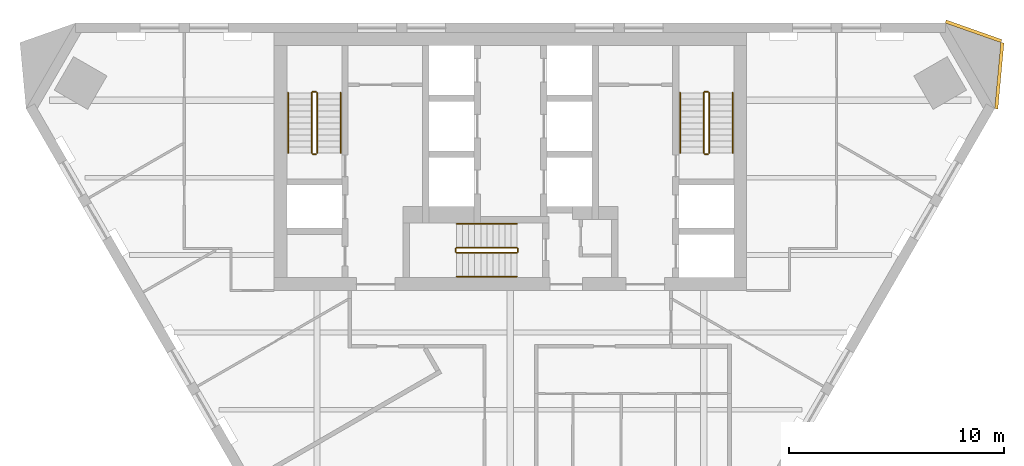
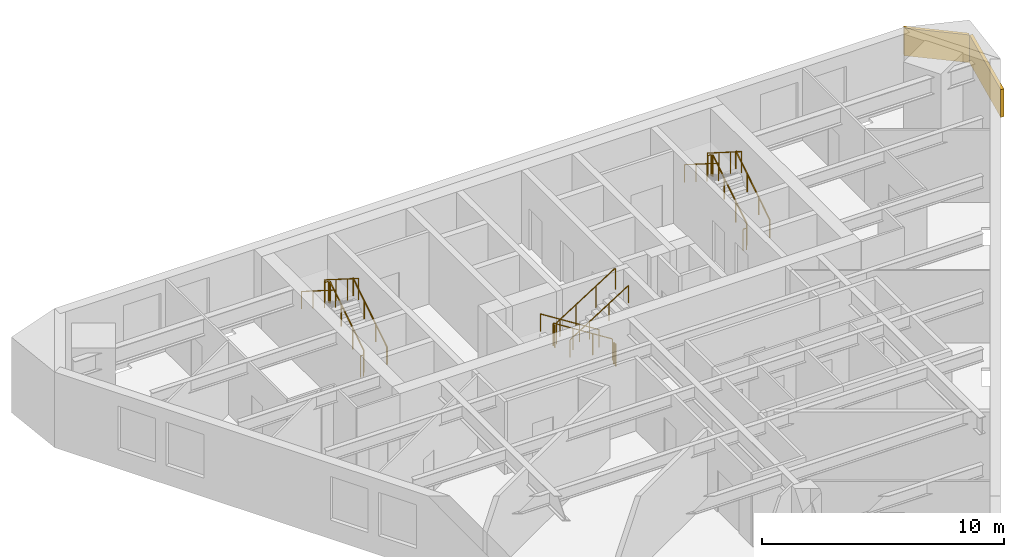
# One storey, part 7 of 7: 18 railings, 2 coverings.
"""IFC4 building model written with IfcOpenShell, lengths in metres."""

from ifc_helpers import new_model, si_unit, direction, frame, origin, origin_2d, place, context, subcontext, project, spatial, polyline, circle, outline, extrude, material, layer, layer_set, type_object, element, save


model = new_model("IFC4")

# Units and contexts
model_context = context("Model", 3, precision=1e-05, world=origin(), true_north=direction((0.0, 1.0)))
body_context = subcontext(model_context, "Body", "Model", "MODEL_VIEW")
ifc_project = project(units=[si_unit("LENGTHUNIT", "METRE"), si_unit("AREAUNIT", "SQUARE_METRE"), si_unit("VOLUMEUNIT", "CUBIC_METRE"), si_unit("PLANEANGLEUNIT", "RADIAN"), si_unit("MASSUNIT", "GRAM", prefix="KILO")], contexts=[model_context])

# Site, building, storey
site_placement = place(None, origin())
site = spatial("IfcSite", under=ifc_project, at=site_placement, CompositionType="ELEMENT")
building_placement = place(site_placement, origin())
building = spatial("IfcBuilding", under=site, at=building_placement, Name="Aloe Facet Convention Tower", CompositionType="ELEMENT")
storey_placement = place(building_placement, frame((0.0, 0.0, 171.5)))
storey = spatial("IfcBuildingStorey", under=building, at=storey_placement, Name="L43", CompositionType="ELEMENT", Elevation=171.5)

# Railings
ifc_material_1 = material(Name="Steel S355 balustrade", Category="steel")
railing_type_1 = type_object("IfcRailingType", Name="CR-RL-GUARD", PredefinedType="GUARDRAIL", material=ifc_material_1)
railing_1_placement = place(storey_placement, frame((71.0, 128.949951171875, 0.17724609375)))
element("IfcRailing", 1, at=railing_1_placement, inside=storey, type_object=railing_type_1, Name="L43 ST1 stair guard 1", PredefinedType="GUARDRAIL", context=body_context, shape_type="SweptSolid", body=[
    extrude(circle(Radius=0.02392578125, at=origin_2d()), frame((0.0, 0.0, 1.076171875), z_axis=(0.0, 0.844908973607, 0.534910110503), x_axis=(-1.0, 0.0, 0.0)), (0.0, 0.0, 1.0), 3.31396484375),
    extrude(circle(Radius=0.02099609375, at=origin_2d()), origin(), (0.0, 0.0, 1.0), 1.052001953125),
    extrude(circle(Radius=0.02099609375, at=origin_2d()), frame((0.0, 0.933349609375, 0.5908203125)), (0.0, 0.0, 1.0), 1.052001953125),
    extrude(circle(Radius=0.02099609375, at=origin_2d()), frame((0.0, 1.86669921875, 1.181884765625)), (0.0, 0.0, 1.0), 1.052001953125),
    extrude(circle(Radius=0.02099609375, at=origin_2d()), frame((0.0, 2.800048828125, 1.772705078125)), (0.0, 0.0, 1.0), 1.052001953125),
])
railing_2_placement = place(storey_placement, frame((70.949951171875, 131.800048828125, 1.949951171875)))
element("IfcRailing", 2, at=railing_2_placement, inside=storey, type_object=railing_type_1, Name="L43 ST1 stair guard 2", PredefinedType="GUARDRAIL", context=body_context, shape_type="SweptSolid", body=[
    extrude(circle(Radius=0.02392578125, at=origin_2d()), frame((0.0, 0.0, 1.076171875), z_axis=(-1.0, 0.0, 0.0), x_axis=(0.0, -1.0, 0.0)), (0.0, 0.0, 1.0), 0.14990234375),
    extrude(circle(Radius=0.02099609375, at=origin_2d()), origin(), (0.0, 0.0, 1.0), 1.052001953125),
    extrude(circle(Radius=0.02099609375, at=origin_2d()), frame((-0.14990234375, 0.0, 0.0)), (0.0, 0.0, 1.0), 1.052001953125),
])
railing_3_placement = place(storey_placement, frame((70.75, 131.75, 2.127197265625)))
element("IfcRailing", 3, at=railing_3_placement, inside=storey, type_object=railing_type_1, Name="L43 ST1 stair guard 3", PredefinedType="GUARDRAIL", context=body_context, shape_type="SweptSolid", body=[
    extrude(circle(Radius=0.02392578125, at=origin_2d()), frame((0.0, 0.0, 1.076171875), z_axis=(0.0, -0.844908973607, 0.534910110503), x_axis=(1.0, 0.0, 0.0)), (0.0, 0.0, 1.0), 3.31396484375),
    extrude(circle(Radius=0.02099609375, at=origin_2d()), origin(), (0.0, 0.0, 1.0), 1.052001953125),
    extrude(circle(Radius=0.02099609375, at=origin_2d()), frame((0.0, -0.933349609375, 0.5908203125)), (0.0, 0.0, 1.0), 1.052001953125),
    extrude(circle(Radius=0.02099609375, at=origin_2d()), frame((0.0, -1.86669921875, 1.181884765625)), (0.0, 0.0, 1.0), 1.052001953125),
    extrude(circle(Radius=0.02099609375, at=origin_2d()), frame((0.0, -2.800048828125, 1.772705078125)), (0.0, 0.0, 1.0), 1.052001953125),
])
railing_4_placement = place(storey_placement, frame((70.949951171875, 128.89990234375, 0.0)))
element("IfcRailing", 4, at=railing_4_placement, inside=storey, type_object=railing_type_1, Name="L43 ST1 stair guard 4", PredefinedType="GUARDRAIL", context=body_context, shape_type="SweptSolid", body=[
    extrude(circle(Radius=0.02392578125, at=origin_2d()), frame((0.0, 0.0, 1.076171875), z_axis=(-1.0, 0.0, 0.0), x_axis=(0.0, -1.0, 0.0)), (0.0, 0.0, 1.0), 0.14990234375),
    extrude(circle(Radius=0.02099609375, at=origin_2d()), origin(), (0.0, 0.0, 1.0), 1.052001953125),
    extrude(circle(Radius=0.02099609375, at=origin_2d()), frame((-0.14990234375, 0.0, 0.0)), (0.0, 0.0, 1.0), 1.052001953125),
])
railing_5_placement = place(storey_placement, frame((89.25, 128.949951171875, 0.17724609375)))
element("IfcRailing", 5, at=railing_5_placement, inside=storey, type_object=railing_type_1, Name="L43 ST2 stair guard 1", PredefinedType="GUARDRAIL", context=body_context, shape_type="SweptSolid", body=[
    extrude(circle(Radius=0.02392578125, at=origin_2d()), frame((0.0, 0.0, 1.076171875), z_axis=(0.0, 0.844908973607, 0.534910110503), x_axis=(-1.0, 0.0, 0.0)), (0.0, 0.0, 1.0), 3.31396484375),
    extrude(circle(Radius=0.02099609375, at=origin_2d()), origin(), (0.0, 0.0, 1.0), 1.052001953125),
    extrude(circle(Radius=0.02099609375, at=origin_2d()), frame((0.0, 0.933349609375, 0.5908203125)), (0.0, 0.0, 1.0), 1.052001953125),
    extrude(circle(Radius=0.02099609375, at=origin_2d()), frame((0.0, 1.86669921875, 1.181884765625)), (0.0, 0.0, 1.0), 1.052001953125),
    extrude(circle(Radius=0.02099609375, at=origin_2d()), frame((0.0, 2.800048828125, 1.772705078125)), (0.0, 0.0, 1.0), 1.052001953125),
])
railing_6_placement = place(storey_placement, frame((89.199951171875, 131.800048828125, 1.949951171875)))
element("IfcRailing", 6, at=railing_6_placement, inside=storey, type_object=railing_type_1, Name="L43 ST2 stair guard 2", PredefinedType="GUARDRAIL", context=body_context, shape_type="SweptSolid", body=[
    extrude(circle(Radius=0.02392578125, at=origin_2d()), frame((0.0, 0.0, 1.076171875), z_axis=(-1.0, 0.0, 0.0), x_axis=(0.0, -1.0, 0.0)), (0.0, 0.0, 1.0), 0.14990234375),
    extrude(circle(Radius=0.02099609375, at=origin_2d()), origin(), (0.0, 0.0, 1.0), 1.052001953125),
    extrude(circle(Radius=0.02099609375, at=origin_2d()), frame((-0.14990234375, 0.0, 0.0)), (0.0, 0.0, 1.0), 1.052001953125),
])
railing_7_placement = place(storey_placement, frame((89.0, 131.75, 2.127197265625)))
element("IfcRailing", 7, at=railing_7_placement, inside=storey, type_object=railing_type_1, Name="L43 ST2 stair guard 3", PredefinedType="GUARDRAIL", context=body_context, shape_type="SweptSolid", body=[
    extrude(circle(Radius=0.02392578125, at=origin_2d()), frame((0.0, 0.0, 1.076171875), z_axis=(0.0, -0.844908973607, 0.534910110503), x_axis=(1.0, 0.0, 0.0)), (0.0, 0.0, 1.0), 3.31396484375),
    extrude(circle(Radius=0.02099609375, at=origin_2d()), origin(), (0.0, 0.0, 1.0), 1.052001953125),
    extrude(circle(Radius=0.02099609375, at=origin_2d()), frame((0.0, -0.933349609375, 0.5908203125)), (0.0, 0.0, 1.0), 1.052001953125),
    extrude(circle(Radius=0.02099609375, at=origin_2d()), frame((0.0, -1.86669921875, 1.181884765625)), (0.0, 0.0, 1.0), 1.052001953125),
    extrude(circle(Radius=0.02099609375, at=origin_2d()), frame((0.0, -2.800048828125, 1.772705078125)), (0.0, 0.0, 1.0), 1.052001953125),
])
railing_8_placement = place(storey_placement, frame((89.199951171875, 128.89990234375, 0.0)))
element("IfcRailing", 8, at=railing_8_placement, inside=storey, type_object=railing_type_1, Name="L43 ST2 stair guard 4", PredefinedType="GUARDRAIL", context=body_context, shape_type="SweptSolid", body=[
    extrude(circle(Radius=0.02392578125, at=origin_2d()), frame((0.0, 0.0, 1.076171875), z_axis=(-1.0, 0.0, 0.0), x_axis=(0.0, -1.0, 0.0)), (0.0, 0.0, 1.0), 0.14990234375),
    extrude(circle(Radius=0.02099609375, at=origin_2d()), origin(), (0.0, 0.0, 1.0), 1.052001953125),
    extrude(circle(Radius=0.02099609375, at=origin_2d()), frame((-0.14990234375, 0.0, 0.0)), (0.0, 0.0, 1.0), 1.052001953125),
])
railing_9_placement = place(storey_placement, frame((80.300048828125, 124.550048828125, 0.17724609375)))
element("IfcRailing", 9, at=railing_9_placement, inside=storey, type_object=railing_type_1, Name="L43 ST3 stair guard 1", PredefinedType="GUARDRAIL", context=body_context, shape_type="SweptSolid", body=[
    extrude(circle(Radius=0.02392578125, at=origin_2d()), frame((0.0, 0.0, 1.076171875), z_axis=(-0.844908973607, 0.0, 0.534910110503), x_axis=(0.0, -1.0, 0.0)), (0.0, 0.0, 1.0), 3.31396484375),
    extrude(circle(Radius=0.02099609375, at=origin_2d()), origin(), (0.0, 0.0, 1.0), 1.052001953125),
    extrude(circle(Radius=0.02099609375, at=origin_2d()), frame((-0.933349609375, 0.0, 0.5908203125)), (0.0, 0.0, 1.0), 1.052001953125),
    extrude(circle(Radius=0.02099609375, at=origin_2d()), frame((-1.86669921875, 0.0, 1.181884765625)), (0.0, 0.0, 1.0), 1.052001953125),
    extrude(circle(Radius=0.02099609375, at=origin_2d()), frame((-2.800048828125, 0.0, 1.772705078125)), (0.0, 0.0, 1.0), 1.052001953125),
])
railing_10_placement = place(storey_placement, frame((77.449951171875, 124.5, 1.949951171875)))
element("IfcRailing", 10, at=railing_10_placement, inside=storey, type_object=railing_type_1, Name="L43 ST3 stair guard 2", PredefinedType="GUARDRAIL", context=body_context, shape_type="SweptSolid", body=[
    extrude(circle(Radius=0.02392578125, at=origin_2d()), frame((0.0, 0.0, 1.076171875), z_axis=(0.0, -1.0, 0.0), x_axis=(1.0, 0.0, 0.0)), (0.0, 0.0, 1.0), 0.14990234375),
    extrude(circle(Radius=0.02099609375, at=origin_2d()), origin(), (0.0, 0.0, 1.0), 1.052001953125),
    extrude(circle(Radius=0.02099609375, at=origin_2d()), frame((0.0, -0.14990234375, 0.0)), (0.0, 0.0, 1.0), 1.052001953125),
])
railing_11_placement = place(storey_placement, frame((77.5, 124.300048828125, 2.127197265625)))
element("IfcRailing", 11, at=railing_11_placement, inside=storey, type_object=railing_type_1, Name="L43 ST3 stair guard 3", PredefinedType="GUARDRAIL", context=body_context, shape_type="SweptSolid", body=[
    extrude(circle(Radius=0.02392578125, at=origin_2d()), frame((0.0, 0.0, 1.076171875), z_axis=(0.844908973607, 0.0, 0.534910110503), x_axis=(0.0, 1.0, 0.0)), (0.0, 0.0, 1.0), 3.31396484375),
    extrude(circle(Radius=0.02099609375, at=origin_2d()), origin(), (0.0, 0.0, 1.0), 1.052001953125),
    extrude(circle(Radius=0.02099609375, at=origin_2d()), frame((0.933349609375, 0.0, 0.5908203125)), (0.0, 0.0, 1.0), 1.052001953125),
    extrude(circle(Radius=0.02099609375, at=origin_2d()), frame((1.86669921875, 0.0, 1.181884765625)), (0.0, 0.0, 1.0), 1.052001953125),
    extrude(circle(Radius=0.02099609375, at=origin_2d()), frame((2.800048828125, 0.0, 1.772705078125)), (0.0, 0.0, 1.0), 1.052001953125),
])
railing_12_placement = place(storey_placement, frame((80.35009765625, 124.5, 0.0)))
element("IfcRailing", 12, at=railing_12_placement, inside=storey, type_object=railing_type_1, Name="L43 ST3 stair guard 4", PredefinedType="GUARDRAIL", context=body_context, shape_type="SweptSolid", body=[
    extrude(circle(Radius=0.02392578125, at=origin_2d()), frame((0.0, 0.0, 1.076171875), z_axis=(0.0, -1.0, 0.0), x_axis=(1.0, 0.0, 0.0)), (0.0, 0.0, 1.0), 0.14990234375),
    extrude(circle(Radius=0.02099609375, at=origin_2d()), origin(), (0.0, 0.0, 1.0), 1.052001953125),
    extrude(circle(Radius=0.02099609375, at=origin_2d()), frame((0.0, -0.14990234375, 0.0)), (0.0, 0.0, 1.0), 1.052001953125),
])
ifc_material_2 = material(Name="Steel S355 handrail", Category="steel")
railing_type_2 = type_object("IfcRailingType", Name="CR-RL-HAND", PredefinedType="HANDRAIL", material=ifc_material_2)
railing_13_placement = place(storey_placement, frame((72.10009765625, 128.949951171875, 0.17724609375)))
element("IfcRailing", 13, at=railing_13_placement, inside=storey, type_object=railing_type_2, Name="L43 ST1 stair handrail 1", PredefinedType="HANDRAIL", context=body_context, shape_type="SweptSolid", body=[
    extrude(circle(Radius=0.02392578125, at=origin_2d()), frame((0.0, 0.0, 0.8759765625), z_axis=(0.0, 0.844908973607, 0.534910110503), x_axis=(-1.0, 0.0, 0.0)), (0.0, 0.0, 1.0), 3.31396484375),
    extrude(circle(Radius=0.02099609375, at=origin_2d()), origin(), (0.0, 0.0, 1.0), 0.851806640625),
    extrude(circle(Radius=0.02099609375, at=origin_2d()), frame((0.0, 0.933349609375, 0.5908203125)), (0.0, 0.0, 1.0), 0.851806640625),
    extrude(circle(Radius=0.02099609375, at=origin_2d()), frame((0.0, 1.86669921875, 1.181884765625)), (0.0, 0.0, 1.0), 0.851806640625),
    extrude(circle(Radius=0.02099609375, at=origin_2d()), frame((0.0, 2.800048828125, 1.772705078125)), (0.0, 0.0, 1.0), 0.851806640625),
])
railing_14_placement = place(storey_placement, frame((69.64990234375, 131.75, 2.127197265625)))
element("IfcRailing", 14, at=railing_14_placement, inside=storey, type_object=railing_type_2, Name="L43 ST1 stair handrail 2", PredefinedType="HANDRAIL", context=body_context, shape_type="SweptSolid", body=[
    extrude(circle(Radius=0.02392578125, at=origin_2d()), frame((0.0, 0.0, 0.8759765625), z_axis=(0.0, -0.844908973607, 0.534910110503), x_axis=(1.0, 0.0, 0.0)), (0.0, 0.0, 1.0), 3.31396484375),
    extrude(circle(Radius=0.02099609375, at=origin_2d()), origin(), (0.0, 0.0, 1.0), 0.851806640625),
    extrude(circle(Radius=0.02099609375, at=origin_2d()), frame((0.0, -0.933349609375, 0.5908203125)), (0.0, 0.0, 1.0), 0.851806640625),
    extrude(circle(Radius=0.02099609375, at=origin_2d()), frame((0.0, -1.86669921875, 1.181884765625)), (0.0, 0.0, 1.0), 0.851806640625),
    extrude(circle(Radius=0.02099609375, at=origin_2d()), frame((0.0, -2.800048828125, 1.772705078125)), (0.0, 0.0, 1.0), 0.851806640625),
])
railing_15_placement = place(storey_placement, frame((90.35009765625, 128.949951171875, 0.17724609375)))
element("IfcRailing", 15, at=railing_15_placement, inside=storey, type_object=railing_type_2, Name="L43 ST2 stair handrail 1", PredefinedType="HANDRAIL", context=body_context, shape_type="SweptSolid", body=[
    extrude(circle(Radius=0.02392578125, at=origin_2d()), frame((0.0, 0.0, 0.8759765625), z_axis=(0.0, 0.844908973607, 0.534910110503), x_axis=(-1.0, 0.0, 0.0)), (0.0, 0.0, 1.0), 3.31396484375),
    extrude(circle(Radius=0.02099609375, at=origin_2d()), origin(), (0.0, 0.0, 1.0), 0.851806640625),
    extrude(circle(Radius=0.02099609375, at=origin_2d()), frame((0.0, 0.933349609375, 0.5908203125)), (0.0, 0.0, 1.0), 0.851806640625),
    extrude(circle(Radius=0.02099609375, at=origin_2d()), frame((0.0, 1.86669921875, 1.181884765625)), (0.0, 0.0, 1.0), 0.851806640625),
    extrude(circle(Radius=0.02099609375, at=origin_2d()), frame((0.0, 2.800048828125, 1.772705078125)), (0.0, 0.0, 1.0), 0.851806640625),
])
railing_16_placement = place(storey_placement, frame((87.89990234375, 131.75, 2.127197265625)))
element("IfcRailing", 16, at=railing_16_placement, inside=storey, type_object=railing_type_2, Name="L43 ST2 stair handrail 2", PredefinedType="HANDRAIL", context=body_context, shape_type="SweptSolid", body=[
    extrude(circle(Radius=0.02392578125, at=origin_2d()), frame((0.0, 0.0, 0.8759765625), z_axis=(0.0, -0.844908973607, 0.534910110503), x_axis=(1.0, 0.0, 0.0)), (0.0, 0.0, 1.0), 3.31396484375),
    extrude(circle(Radius=0.02099609375, at=origin_2d()), origin(), (0.0, 0.0, 1.0), 0.851806640625),
    extrude(circle(Radius=0.02099609375, at=origin_2d()), frame((0.0, -0.933349609375, 0.5908203125)), (0.0, 0.0, 1.0), 0.851806640625),
    extrude(circle(Radius=0.02099609375, at=origin_2d()), frame((0.0, -1.86669921875, 1.181884765625)), (0.0, 0.0, 1.0), 0.851806640625),
    extrude(circle(Radius=0.02099609375, at=origin_2d()), frame((0.0, -2.800048828125, 1.772705078125)), (0.0, 0.0, 1.0), 0.851806640625),
])
railing_17_placement = place(storey_placement, frame((80.300048828125, 125.64990234375, 0.17724609375)))
element("IfcRailing", 17, at=railing_17_placement, inside=storey, type_object=railing_type_2, Name="L43 ST3 stair handrail 1", PredefinedType="HANDRAIL", context=body_context, shape_type="SweptSolid", body=[
    extrude(circle(Radius=0.02392578125, at=origin_2d()), frame((0.0, 0.0, 0.8759765625), z_axis=(-0.844908973607, 0.0, 0.534910110503), x_axis=(0.0, -1.0, 0.0)), (0.0, 0.0, 1.0), 3.31396484375),
    extrude(circle(Radius=0.02099609375, at=origin_2d()), origin(), (0.0, 0.0, 1.0), 0.851806640625),
    extrude(circle(Radius=0.02099609375, at=origin_2d()), frame((-0.933349609375, 0.0, 0.5908203125)), (0.0, 0.0, 1.0), 0.851806640625),
    extrude(circle(Radius=0.02099609375, at=origin_2d()), frame((-1.86669921875, 0.0, 1.181884765625)), (0.0, 0.0, 1.0), 0.851806640625),
    extrude(circle(Radius=0.02099609375, at=origin_2d()), frame((-2.800048828125, 0.0, 1.772705078125)), (0.0, 0.0, 1.0), 0.851806640625),
])
railing_18_placement = place(storey_placement, frame((77.5, 123.199951171875, 2.127197265625)))
element("IfcRailing", 18, at=railing_18_placement, inside=storey, type_object=railing_type_2, Name="L43 ST3 stair handrail 2", PredefinedType="HANDRAIL", context=body_context, shape_type="SweptSolid", body=[
    extrude(circle(Radius=0.02392578125, at=origin_2d()), frame((0.0, 0.0, 0.8759765625), z_axis=(0.844908973607, 0.0, 0.534910110503), x_axis=(0.0, 1.0, 0.0)), (0.0, 0.0, 1.0), 3.31396484375),
    extrude(circle(Radius=0.02099609375, at=origin_2d()), origin(), (0.0, 0.0, 1.0), 0.851806640625),
    extrude(circle(Radius=0.02099609375, at=origin_2d()), frame((0.933349609375, 0.0, 0.5908203125)), (0.0, 0.0, 1.0), 0.851806640625),
    extrude(circle(Radius=0.02099609375, at=origin_2d()), frame((1.86669921875, 0.0, 1.181884765625)), (0.0, 0.0, 1.0), 0.851806640625),
    extrude(circle(Radius=0.02099609375, at=origin_2d()), frame((2.800048828125, 0.0, 1.772705078125)), (0.0, 0.0, 1.0), 0.851806640625),
])

# Coverings
ifc_material_3 = material(Name="Bronze oxide fascia sheet")
ifc_layer = layer(ifc_material_3, 0.14990234375)
ifc_layer_set = layer_set([ifc_layer], Name="EV-FASCIA-TERR")
covering_type = type_object("IfcCoveringType", Name="EV-FASCIA-TERR", PredefinedType="CLADDING", material=ifc_layer_set)
covering_1_placement = place(storey_placement, frame((102.6923828125, 131.00244140625, 0.700439453125), z_axis=(0.99571630063, -0.092461065647, 0.0), x_axis=(0.089542929565, 0.964290795803, 0.249249523357)))
element("IfcCovering", 19, at=covering_1_placement, inside=storey, type_object=covering_type, Name="Spiral ribbon zone 3 part 11 over the corner spine", PredefinedType="CLADDING", context=body_context, shape_type="SweptSolid", body=[
    extrude(outline(polyline([(0.0, 0.0), (3.187302358895174, -1.1102230246251565e-16), (3.536227350821532, 1.355720443913838), (0.3489858438607714, 1.3559568792894772), (0.0, 0.0)])), origin(), (0.0, 0.0, -1.0), 0.14990234375),
])
covering_2_placement = place(storey_placement, frame((102.878173828125, 134.231201171875, 1.494873046875), z_axis=(0.332163069843, 0.943221975482, 0.0), x_axis=(-0.913480105886, 0.321689235513, 0.249138780413)))
element("IfcCovering", 20, at=covering_2_placement, inside=storey, type_object=covering_type, Name="Spiral ribbon zone 3 part 12 over the corner spine", PredefinedType="CLADDING", context=body_context, shape_type="SweptSolid", body=[
    extrude(outline(polyline([(0.0, 0.0), (2.8300617183317676, 1.1102230246251565e-16), (3.17889250584915, 1.3559967770565222), (0.3487699626198205, 1.3557603347239926), (0.0, 0.0)])), origin(), (0.0, 0.0, -1.0), 0.14990234375),
])

save(model, "model.ifc")
